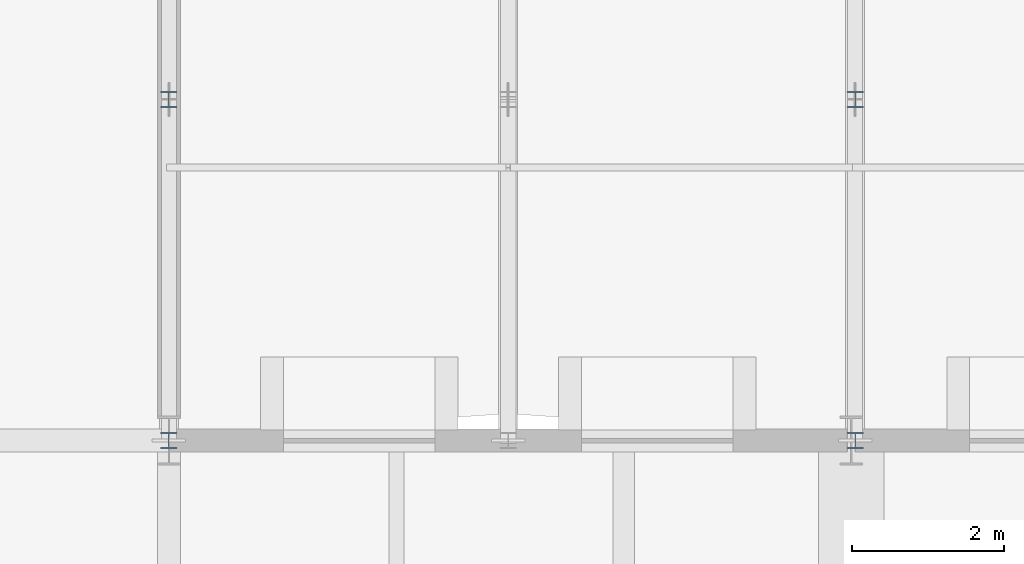
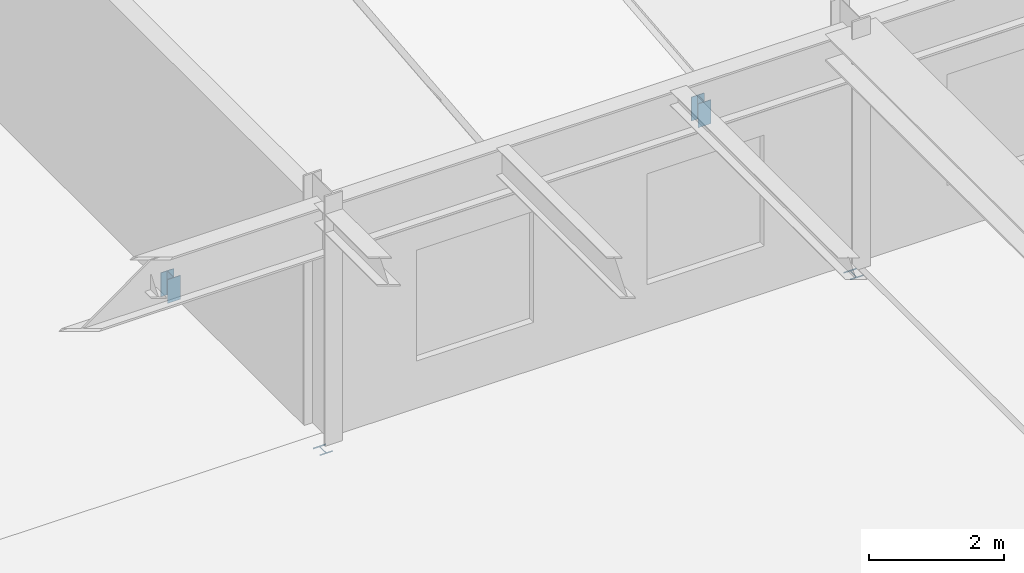
# One storey, part 93 of 142: 4 members.
"""IFC4 building model written with IfcOpenShell, lengths in metres."""

from ifc_helpers import new_model, si_unit, direction, frame, origin, origin_2d, place, context, subcontext, project, spatial, i_section, extrude, material, material_profile, profile_set, type_object, element, save


model = new_model("IFC4")

# Units and contexts
model_context = context("Model", 3, precision=1e-05, world=origin(), true_north=direction((0.0, 1.0)))
body_context = subcontext(model_context, "Body", "Model", "MODEL_VIEW")
ifc_project = project(units=[si_unit("LENGTHUNIT", "METRE"), si_unit("AREAUNIT", "SQUARE_METRE"), si_unit("VOLUMEUNIT", "CUBIC_METRE"), si_unit("PLANEANGLEUNIT", "RADIAN"), si_unit("MASSUNIT", "GRAM", prefix="KILO")], contexts=[model_context])

# Site, building, storey
site_placement = place(None, origin())
site = spatial("IfcSite", under=ifc_project, at=site_placement, CompositionType="ELEMENT")
building_placement = place(site_placement, origin())
building = spatial("IfcBuilding", under=site, at=building_placement, Name="Montelvaro Courts of Justice", CompositionType="ELEMENT")
storey_placement = place(building_placement, frame((0.0, 0.0, 14.39990234375)))
storey = spatial("IfcBuildingStorey", under=building, at=storey_placement, Name="L03", CompositionType="ELEMENT", Elevation=14.39990234375)

# Members
ifc_material = material(Name="Steel S355", Category="steel")
ifc_material_profile = material_profile(ifc_material, i_section(OverallWidth=0.219970703125, OverallDepth=0.2099609375, WebThickness=0.007080078125, FlangeThickness=0.010986328125, at=origin_2d()), Name="HEA 220")
ifc_profile_set = profile_set([ifc_material_profile], Name="Steel S355")
member_type = type_object("IfcMemberType", Name="Mem_HEA220_Post", PredefinedType="POST", material=ifc_profile_set)
member_1_placement = place(storey_placement, frame((72.0, 24.0, -0.2998046875), z_axis=(0.0, 0.0, -1.0), x_axis=(1.0, 0.0, 0.0)))
element("IfcMember", 1, at=member_1_placement, inside=storey, type_object=member_type, Name="Roof Truss Post MP-03 ROOF-PASSAGE-S-VTR01-V0", PredefinedType="POST", context=body_context, shape_type="SweptSolid", body=[
    extrude(i_section(OverallWidth=0.219970703125, OverallDepth=0.2099609375, WebThickness=0.007080078125, FlangeThickness=0.010986328125, at=origin_2d()), origin(), (0.0, 0.0, 1.0), 0.02001953125),
])
member_2_placement = place(storey_placement, frame((72.0, 28.5, -0.2998046875), z_axis=(0.0, 0.0, 1.0), x_axis=(1.0, 0.0, 0.0)))
element("IfcMember", 2, at=member_2_placement, inside=storey, type_object=member_type, Name="Roof Truss Post MP-03 ROOF-PASSAGE-S-VTR01-V1", PredefinedType="POST", context=body_context, shape_type="SweptSolid", body=[
    extrude(i_section(OverallWidth=0.219970703125, OverallDepth=0.2099609375, WebThickness=0.007080078125, FlangeThickness=0.010986328125, at=origin_2d()), origin(), (0.0, 0.0, 1.0), 0.429931640625),
])
member_3_placement = place(storey_placement, frame((81.050048828125, 24.0, -0.2998046875), z_axis=(0.0, 0.0, -1.0), x_axis=(1.0, 0.0, 0.0)))
element("IfcMember", 3, at=member_3_placement, inside=storey, type_object=member_type, Name="Roof Truss Post MP-03 ROOF-PASSAGE-S-VTR02-V0", PredefinedType="POST", context=body_context, shape_type="SweptSolid", body=[
    extrude(i_section(OverallWidth=0.219970703125, OverallDepth=0.2099609375, WebThickness=0.007080078125, FlangeThickness=0.010986328125, at=origin_2d()), origin(), (0.0, 0.0, 1.0), 0.02001953125),
])
member_4_placement = place(storey_placement, frame((81.050048828125, 28.5, -0.2998046875), z_axis=(0.0, 0.0, 1.0), x_axis=(1.0, 0.0, 0.0)))
element("IfcMember", 4, at=member_4_placement, inside=storey, type_object=member_type, Name="Roof Truss Post MP-03 ROOF-PASSAGE-S-VTR02-V1", PredefinedType="POST", context=body_context, shape_type="SweptSolid", body=[
    extrude(i_section(OverallWidth=0.219970703125, OverallDepth=0.2099609375, WebThickness=0.007080078125, FlangeThickness=0.010986328125, at=origin_2d()), origin(), (0.0, 0.0, 1.0), 0.429931640625),
])

save(model, "model.ifc")
